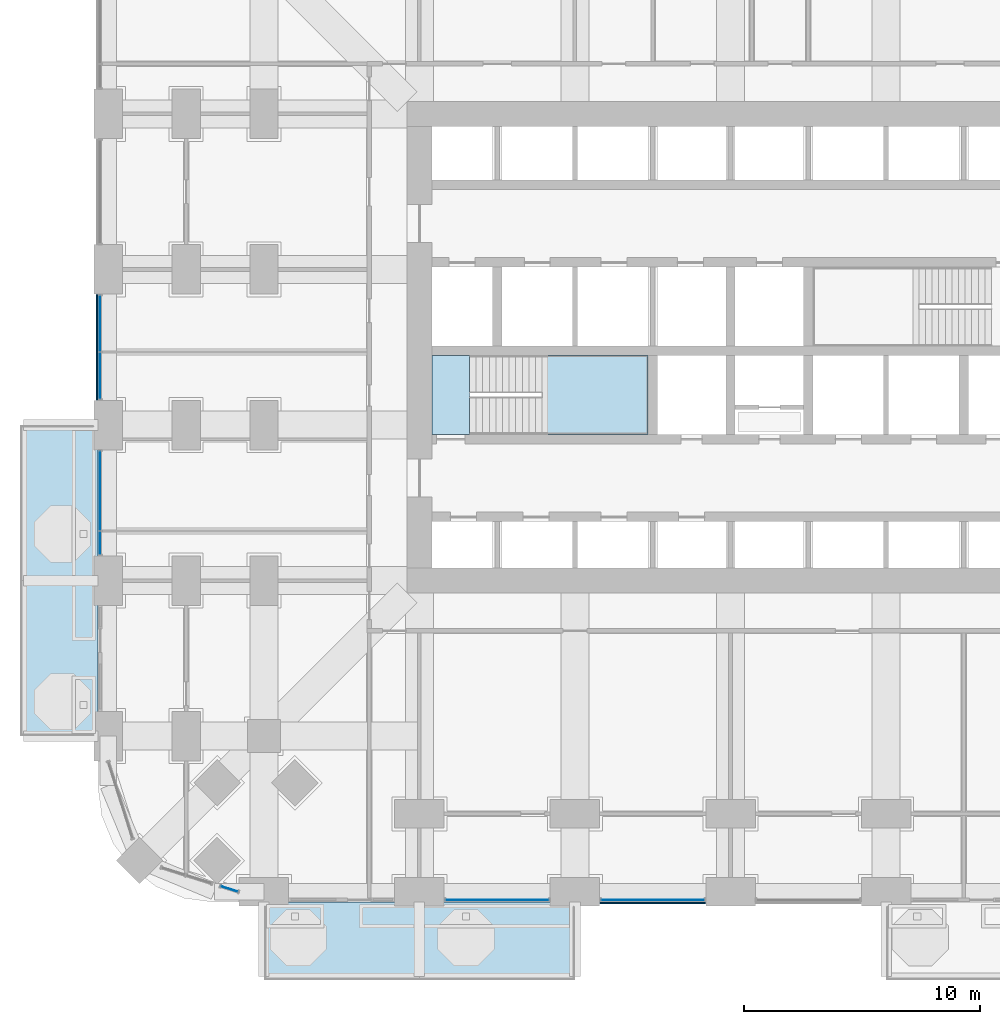
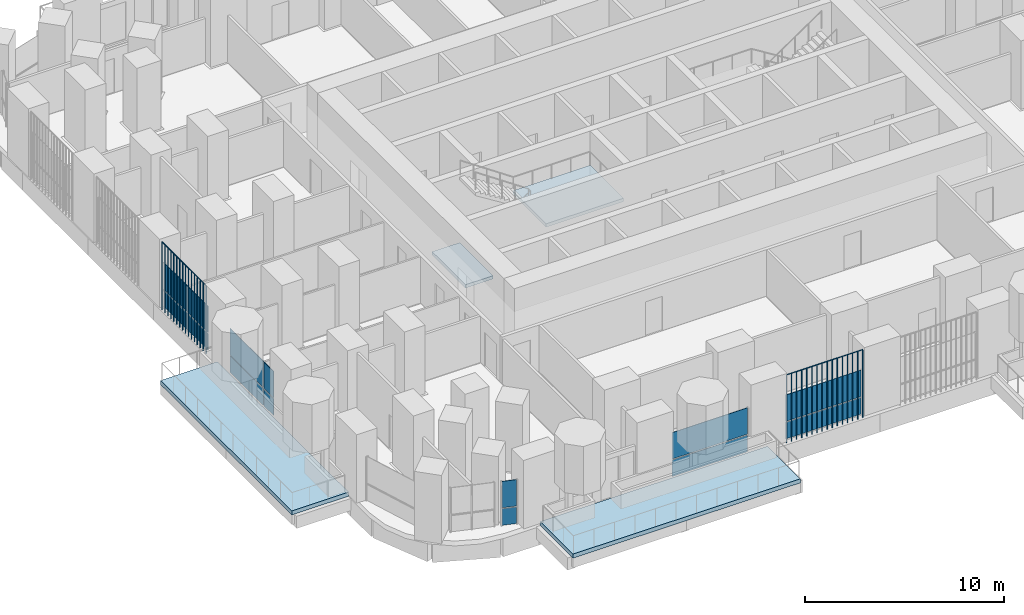
# One storey, part 12 of 27: 16 plates, 4 slabs, 6 elements without a shape of their own.
"""IFC4 building model written with IfcOpenShell, lengths in metres."""

from ifc_helpers import new_model, si_unit, direction, frame, origin, origin_2d, place, context, subcontext, project, spatial, polyline, rectangle, outline, extrude, material, layer, layer_set, type_object, element, aggregate, save


model = new_model("IFC4")

# Units and contexts
model_context = context("Model", 3, precision=1e-05, world=origin(), true_north=direction((0.0, 1.0)))
body_context = subcontext(model_context, "Body", "Model", "MODEL_VIEW")
ifc_project = project(units=[si_unit("LENGTHUNIT", "METRE"), si_unit("AREAUNIT", "SQUARE_METRE"), si_unit("VOLUMEUNIT", "CUBIC_METRE"), si_unit("PLANEANGLEUNIT", "RADIAN"), si_unit("MASSUNIT", "GRAM", prefix="KILO")], contexts=[model_context])

# Site, building, storey
site_placement = place(None, origin())
site = spatial("IfcSite", under=ifc_project, at=site_placement, CompositionType="ELEMENT")
building_placement = place(site_placement, origin())
building = spatial("IfcBuilding", under=site, at=building_placement, Name="Cobogo Forest Laboratory Tower", CompositionType="ELEMENT")
storey_placement = place(building_placement, frame((0.0, 0.0, 29.699951171875)))
storey = spatial("IfcBuildingStorey", under=building, at=storey_placement, Name="L06", CompositionType="ELEMENT", Elevation=29.699951171875)

# Slabs
ifc_material_1 = material(Name="Concrete HA-40 (C40/50)", Category="concrete")
ifc_layer_1 = layer(ifc_material_1, 0.25)
ifc_layer_set_1 = layer_set([ifc_layer_1], Name="Balcony slab 250")
slab_type_1 = type_object("IfcSlabType", Name="Balcony slab 250", PredefinedType="FLOOR", material=ifc_layer_set_1)
slab_1_placement = place(storey_placement, frame((0.0, 0.0, -0.25)))
element("IfcSlab", 1, at=slab_1_placement, inside=storey, type_object=slab_type_1, Name="Balcony BAL-S1 L06", PredefinedType="FLOOR", context=body_context, shape_type="SweptSolid", body=[
    extrude(outline(polyline([(6.60009765625, -3.75), (19.800048828125, -3.75), (19.800048828125, -0.449951171875), (6.60009765625, -0.449951171875), (6.60009765625, -3.75)])), origin(), (0.0, 0.0, 1.0), 0.25),
])
slab_2_placement = place(storey_placement, frame((0.0, 0.0, -0.25)))
element("IfcSlab", 2, at=slab_2_placement, inside=storey, type_object=slab_type_1, Name="Balcony BAL-W1 L06", PredefinedType="FLOOR", context=body_context, shape_type="SweptSolid", body=[
    extrude(outline(polyline([(-3.75, 6.60009765625), (-0.449951171875, 6.60009765625), (-0.449951171875, 19.800048828125), (-3.75, 19.800048828125), (-3.75, 6.60009765625)])), origin(), (0.0, 0.0, 1.0), 0.25),
])

# Curtain wall, plates
ifc_material_2 = material(Name="Aluminium curtain wall", Category="aluminium")
curtain_wall_type = type_object("IfcCurtainWallType", Name="CW-1 unitised curtain wall, clear glazing, laboratory floors zones A and B", PredefinedType="USERDEFINED", material=ifc_material_2)
curtain_wall_1_placement = place(storey_placement, origin())
curtain_wall_1 = element("IfcCurtainWall", 3, at=curtain_wall_1_placement, inside=storey, type_object=curtain_wall_type, Name="Curtain wall 02 L06", ObjectType="UNITISED CURTAIN WALL", PredefinedType="USERDEFINED")
ifc_material_3 = material(Name="Clear insulated glass", Category="glass")
ifc_layer_2 = layer(ifc_material_3, 0.028076171875)
ifc_layer_set_2 = layer_set([ifc_layer_2], Name="GP-1 clear insulated glass unit 28")
plate_type_1 = type_object("IfcPlateType", Name="GP-1 clear insulated glass unit 28", PredefinedType="CURTAIN_PANEL", material=ifc_layer_set_2)
plate_1_placement = place(storey_placement, frame((16.5, -0.35009765625, 0.0), z_axis=(0.0, 0.0, 1.0), x_axis=(1.0, 0.0, 0.0)))
plate_1 = element("IfcPlate", 4, at=plate_1_placement, type_object=plate_type_1, Name="CW-1 panel 1.1", PredefinedType="CURTAIN_PANEL", context=body_context, shape_type="SweptSolid", body=[
    extrude(rectangle(XDim=4.3798828125, YDim=0.028076171875, at=origin_2d()), origin(), (0.0, 0.0, 1.0), 1.02001953125),
])
plate_2_placement = place(storey_placement, frame((16.5, -0.35009765625, 1.080078125), z_axis=(0.0, 0.0, 1.0), x_axis=(1.0, 0.0, 0.0)))
plate_2 = element("IfcPlate", 5, at=plate_2_placement, type_object=plate_type_1, Name="CW-1 panel 1.2", PredefinedType="CURTAIN_PANEL", context=body_context, shape_type="SweptSolid", body=[
    extrude(rectangle(XDim=4.3798828125, YDim=0.028076171875, at=origin_2d()), origin(), (0.0, 0.0, 1.0), 1.6201171875),
])
aggregate(curtain_wall_1, [plate_1, plate_2])

curtain_wall_2_placement = place(storey_placement, origin())
curtain_wall_2 = element("IfcCurtainWall", 6, at=curtain_wall_2_placement, inside=storey, type_object=curtain_wall_type, Name="Curtain wall 03 L06", ObjectType="UNITISED CURTAIN WALL", PredefinedType="USERDEFINED")
plate_3_placement = place(storey_placement, frame((23.10009765625, -0.35009765625, 0.0), z_axis=(0.0, 0.0, 1.0), x_axis=(1.0, 0.0, 0.0)))
plate_3 = element("IfcPlate", 7, at=plate_3_placement, type_object=plate_type_1, Name="CW-1 panel 1.1", PredefinedType="CURTAIN_PANEL", context=body_context, shape_type="SweptSolid", body=[
    extrude(rectangle(XDim=4.3798828125, YDim=0.028076171875, at=origin_2d()), origin(), (0.0, 0.0, 1.0), 1.02001953125),
])
plate_4_placement = place(storey_placement, frame((23.10009765625, -0.35009765625, 1.080078125), z_axis=(0.0, 0.0, 1.0), x_axis=(1.0, 0.0, 0.0)))
plate_4 = element("IfcPlate", 8, at=plate_4_placement, type_object=plate_type_1, Name="CW-1 panel 1.2", PredefinedType="CURTAIN_PANEL", context=body_context, shape_type="SweptSolid", body=[
    extrude(rectangle(XDim=4.3798828125, YDim=0.028076171875, at=origin_2d()), origin(), (0.0, 0.0, 1.0), 1.6201171875),
])
aggregate(curtain_wall_2, [plate_3, plate_4])

curtain_wall_3_placement = place(storey_placement, origin())
curtain_wall_3 = element("IfcCurtainWall", 9, at=curtain_wall_3_placement, inside=storey, type_object=curtain_wall_type, Name="Curtain wall 29 L06", ObjectType="UNITISED CURTAIN WALL", PredefinedType="USERDEFINED")
plate_5_placement = place(storey_placement, frame((-0.35009765625, 24.110107421875, 0.0), z_axis=(0.0, 0.0, 1.0), x_axis=(0.0, -1.0, 0.0)))
plate_5 = element("IfcPlate", 10, at=plate_5_placement, type_object=plate_type_1, Name="CW-1 panel 1.1", PredefinedType="CURTAIN_PANEL", context=body_context, shape_type="SweptSolid", body=[
    extrude(rectangle(XDim=2.360107421875, YDim=0.028076171875, at=origin_2d()), origin(), (0.0, 0.0, 1.0), 1.02001953125),
])
plate_6_placement = place(storey_placement, frame((-0.35009765625, 24.110107421875, 1.080078125), z_axis=(0.0, 0.0, 1.0), x_axis=(0.0, -1.0, 0.0)))
plate_6 = element("IfcPlate", 11, at=plate_6_placement, type_object=plate_type_1, Name="CW-1 panel 1.2", PredefinedType="CURTAIN_PANEL", context=body_context, shape_type="SweptSolid", body=[
    extrude(rectangle(XDim=2.360107421875, YDim=0.028076171875, at=origin_2d()), origin(), (0.0, 0.0, 1.0), 1.6201171875),
])
plate_7_placement = place(storey_placement, frame((-0.35009765625, 21.889892578125, 0.0), z_axis=(0.0, 0.0, 1.0), x_axis=(0.0, -1.0, 0.0)))
plate_7 = element("IfcPlate", 12, at=plate_7_placement, type_object=plate_type_1, Name="CW-1 panel 2.1", PredefinedType="CURTAIN_PANEL", context=body_context, shape_type="SweptSolid", body=[
    extrude(rectangle(XDim=1.9599609375, YDim=0.028076171875, at=origin_2d()), origin(), (0.0, 0.0, 1.0), 1.02001953125),
])
plate_8_placement = place(storey_placement, frame((-0.35009765625, 21.889892578125, 1.080078125), z_axis=(0.0, 0.0, 1.0), x_axis=(0.0, -1.0, 0.0)))
plate_8 = element("IfcPlate", 13, at=plate_8_placement, type_object=plate_type_1, Name="CW-1 panel 2.2", PredefinedType="CURTAIN_PANEL", context=body_context, shape_type="SweptSolid", body=[
    extrude(rectangle(XDim=1.9599609375, YDim=0.028076171875, at=origin_2d()), origin(), (0.0, 0.0, 1.0), 1.6201171875),
])
aggregate(curtain_wall_3, [plate_5, plate_6, plate_7, plate_8])

curtain_wall_4_placement = place(storey_placement, origin())
curtain_wall_4 = element("IfcCurtainWall", 14, at=curtain_wall_4_placement, inside=storey, type_object=curtain_wall_type, Name="Curtain wall 30 L06", ObjectType="UNITISED CURTAIN WALL", PredefinedType="USERDEFINED")
plate_9_placement = place(storey_placement, frame((-0.35009765625, 17.010009765625, 0.0), z_axis=(0.0, 0.0, 1.0), x_axis=(0.0, -1.0, 0.0)))
plate_9 = element("IfcPlate", 15, at=plate_9_placement, type_object=plate_type_1, Name="CW-1 panel 1.1", PredefinedType="CURTAIN_PANEL", context=body_context, shape_type="SweptSolid", body=[
    extrude(rectangle(XDim=3.360107421875, YDim=0.028076171875, at=origin_2d()), origin(), (0.0, 0.0, 1.0), 1.02001953125),
])
plate_10_placement = place(storey_placement, frame((-0.35009765625, 17.010009765625, 1.080078125), z_axis=(0.0, 0.0, 1.0), x_axis=(0.0, -1.0, 0.0)))
plate_10 = element("IfcPlate", 16, at=plate_10_placement, type_object=plate_type_1, Name="CW-1 panel 1.2", PredefinedType="CURTAIN_PANEL", context=body_context, shape_type="SweptSolid", body=[
    extrude(rectangle(XDim=3.360107421875, YDim=0.028076171875, at=origin_2d()), origin(), (0.0, 0.0, 1.0), 1.6201171875),
])
plate_11_placement = place(storey_placement, frame((-0.35009765625, 14.7900390625, 0.0), z_axis=(0.0, 0.0, 1.0), x_axis=(0.0, -1.0, 0.0)))
plate_11 = element("IfcPlate", 17, at=plate_11_placement, type_object=plate_type_1, Name="CW-1 panel 2.1", PredefinedType="CURTAIN_PANEL", context=body_context, shape_type="SweptSolid", body=[
    extrude(rectangle(XDim=0.9599609375, YDim=0.028076171875, at=origin_2d()), origin(), (0.0, 0.0, 1.0), 1.02001953125),
])
plate_12_placement = place(storey_placement, frame((-0.35009765625, 14.7900390625, 1.080078125), z_axis=(0.0, 0.0, 1.0), x_axis=(0.0, -1.0, 0.0)))
plate_12 = element("IfcPlate", 18, at=plate_12_placement, type_object=plate_type_1, Name="CW-1 panel 2.2", PredefinedType="CURTAIN_PANEL", context=body_context, shape_type="SweptSolid", body=[
    extrude(rectangle(XDim=0.9599609375, YDim=0.028076171875, at=origin_2d()), origin(), (0.0, 0.0, 1.0), 1.6201171875),
])
aggregate(curtain_wall_4, [plate_9, plate_10, plate_11, plate_12])

curtain_wall_5_placement = place(storey_placement, origin())
curtain_wall_5 = element("IfcCurtainWall", 19, at=curtain_wall_5_placement, inside=storey, type_object=curtain_wall_type, Name="Curtain wall 34 L06", ObjectType="UNITISED CURTAIN WALL", PredefinedType="USERDEFINED")
plate_13_placement = place(storey_placement, frame((5.134033203125, 0.113037109375, 0.0), z_axis=(0.0, 0.0, 1.0), x_axis=(0.953581504428, -0.301135043481, 0.0)))
plate_13 = element("IfcPlate", 20, at=plate_13_placement, type_object=plate_type_1, Name="CW-1 panel 1.1", PredefinedType="CURTAIN_PANEL", context=body_context, shape_type="SweptSolid", body=[
    extrude(rectangle(XDim=0.75244140625, YDim=0.028076171875, at=origin_2d()), origin(), (0.0, 0.0, 1.0), 1.02001953125),
])
plate_14_placement = place(storey_placement, frame((5.134033203125, 0.113037109375, 1.080078125), z_axis=(0.0, 0.0, 1.0), x_axis=(0.953581504428, -0.301135043481, 0.0)))
plate_14 = element("IfcPlate", 21, at=plate_14_placement, type_object=plate_type_1, Name="CW-1 panel 1.2", PredefinedType="CURTAIN_PANEL", context=body_context, shape_type="SweptSolid", body=[
    extrude(rectangle(XDim=0.75244140625, YDim=0.028076171875, at=origin_2d()), origin(), (0.0, 0.0, 1.0), 1.6201171875),
])
aggregate(curtain_wall_5, [plate_13, plate_14])

# Stair, slabs
ifc_material_4 = material(Name="Precast concrete HA-40 (C40/50)", Category="concrete")
stair_type = type_object("IfcStairType", Name="ST24 exit stair 24 risers", PredefinedType="HALF_TURN_STAIR", material=ifc_material_4)
stair_placement = place(storey_placement, origin())
stair = element("IfcStair", 22, at=stair_placement, inside=storey, type_object=stair_type, Name="Stair 1 L06 to L07", PredefinedType="HALF_TURN_STAIR")
ifc_layer_3 = layer(ifc_material_1, 0.199951171875)
ifc_layer_set_3 = layer_set([ifc_layer_3], Name="SL stair landing 200")
slab_type_2 = type_object("IfcSlabType", Name="SL stair landing 200", PredefinedType="LANDING", material=ifc_layer_set_3)
slab_3_placement = place(storey_placement, frame((0.0, 0.0, -0.199951171875)))
slab_3 = element("IfcSlab", 23, at=slab_3_placement, type_object=slab_type_2, Name="ST1 landing 1", PredefinedType="LANDING", context=body_context, shape_type="SweptSolid", body=[
    extrude(outline(polyline([(13.72509765625, 19.39990234375), (15.326904296875, 19.39990234375), (15.326904296875, 22.75), (13.72509765625, 22.75), (13.72509765625, 19.39990234375)])), origin(), (0.0, 0.0, 1.0), 0.199951171875),
])
slab_4_placement = place(storey_placement, frame((0.0, 0.0, 1.900146484375)))
slab_4 = element("IfcSlab", 24, at=slab_4_placement, type_object=slab_type_2, Name="ST1 landing 2", PredefinedType="LANDING", context=body_context, shape_type="SweptSolid", body=[
    extrude(outline(polyline([(18.403076171875, 19.39990234375), (22.89990234375, 19.39990234375), (22.89990234375, 22.75), (18.403076171875, 22.75), (18.403076171875, 19.39990234375)])), origin(), (0.0, 0.0, 1.0), 0.199951171875),
])
aggregate(stair, [slab_3, slab_4])

# Plates
ifc_material_5 = material(Name="Terracotta", Category="masonry")
plate_type_2 = type_object("IfcPlateType", Name="TB1 terracotta baguette screen", PredefinedType="USERDEFINED", material=ifc_material_5)
plate_15_placement = place(storey_placement, frame((20.88134765625, -0.477783203125, -0.14990234375)))
element("IfcPlate", 25, at=plate_15_placement, inside=storey, type_object=plate_type_2, Name="Baguette screen S3 L06", ObjectType="BAGUETTE SCREEN", PredefinedType="USERDEFINED", context=body_context, shape_type="SweptSolid", body=[
    extrude(outline(polyline([(0.02880859375, 0.011962890625), (0.011962890625, 0.02880859375), (-0.011962890625, 0.02880859375), (-0.02880859375, 0.011962890625), (-0.02880859375, -0.011962890625), (-0.011962890625, -0.02880859375), (0.011962890625, -0.02880859375), (0.02880859375, -0.011962890625), (0.02880859375, 0.011962890625)])), frame((0.0, 0.0, 4.168701171875), z_axis=(1.0, 0.0, 0.0), x_axis=(0.0, 1.0, 0.0)), (0.0, 0.0, 1.0), 4.4375),
    extrude(outline(polyline([(0.02880859375, 0.011962890625), (0.011962890625, 0.02880859375), (-0.011962890625, 0.02880859375), (-0.02880859375, 0.011962890625), (-0.02880859375, -0.011962890625), (-0.011962890625, -0.02880859375), (0.011962890625, -0.02880859375), (0.02880859375, -0.011962890625), (0.02880859375, 0.011962890625)])), origin(), (0.0, 0.0, 1.0), 4.137451171875),
    extrude(outline(polyline([(0.02880859375, 0.011962890625), (0.011962890625, 0.02880859375), (-0.011962890625, 0.02880859375), (-0.02880859375, 0.011962890625), (-0.02880859375, -0.011962890625), (-0.011962890625, -0.02880859375), (0.011962890625, -0.02880859375), (0.02880859375, -0.011962890625), (0.02880859375, 0.011962890625)])), frame((0.2958984375, 0.0, 0.0)), (0.0, 0.0, 1.0), 4.137451171875),
    extrude(outline(polyline([(0.02880859375, 0.011962890625), (0.011962890625, 0.02880859375), (-0.011962890625, 0.02880859375), (-0.02880859375, 0.011962890625), (-0.02880859375, -0.011962890625), (-0.011962890625, -0.02880859375), (0.011962890625, -0.02880859375), (0.02880859375, -0.011962890625), (0.02880859375, 0.011962890625)])), frame((0.591552734375, 0.0, 0.0)), (0.0, 0.0, 1.0), 4.137451171875),
    extrude(outline(polyline([(0.02880859375, 0.011962890625), (0.011962890625, 0.02880859375), (-0.011962890625, 0.02880859375), (-0.02880859375, 0.011962890625), (-0.02880859375, -0.011962890625), (-0.011962890625, -0.02880859375), (0.011962890625, -0.02880859375), (0.02880859375, -0.011962890625), (0.02880859375, 0.011962890625)])), frame((0.887451171875, 0.0, 0.0)), (0.0, 0.0, 1.0), 4.137451171875),
    extrude(outline(polyline([(0.02880859375, 0.011962890625), (0.011962890625, 0.02880859375), (-0.011962890625, 0.02880859375), (-0.02880859375, 0.011962890625), (-0.02880859375, -0.011962890625), (-0.011962890625, -0.02880859375), (0.011962890625, -0.02880859375), (0.02880859375, -0.011962890625), (0.02880859375, 0.011962890625)])), frame((1.183349609375, 0.0, 0.0)), (0.0, 0.0, 1.0), 4.137451171875),
    extrude(outline(polyline([(0.02880859375, 0.011962890625), (0.011962890625, 0.02880859375), (-0.011962890625, 0.02880859375), (-0.02880859375, 0.011962890625), (-0.02880859375, -0.011962890625), (-0.011962890625, -0.02880859375), (0.011962890625, -0.02880859375), (0.02880859375, -0.011962890625), (0.02880859375, 0.011962890625)])), frame((1.479248046875, 0.0, 0.0)), (0.0, 0.0, 1.0), 4.137451171875),
    extrude(outline(polyline([(0.02880859375, 0.011962890625), (0.011962890625, 0.02880859375), (-0.011962890625, 0.02880859375), (-0.02880859375, 0.011962890625), (-0.02880859375, -0.011962890625), (-0.011962890625, -0.02880859375), (0.011962890625, -0.02880859375), (0.02880859375, -0.011962890625), (0.02880859375, 0.011962890625)])), frame((1.77490234375, 0.0, 0.0)), (0.0, 0.0, 1.0), 4.137451171875),
    extrude(outline(polyline([(0.02880859375, 0.011962890625), (0.011962890625, 0.02880859375), (-0.011962890625, 0.02880859375), (-0.02880859375, 0.011962890625), (-0.02880859375, -0.011962890625), (-0.011962890625, -0.02880859375), (0.011962890625, -0.02880859375), (0.02880859375, -0.011962890625), (0.02880859375, 0.011962890625)])), frame((2.07080078125, 0.0, 0.0)), (0.0, 0.0, 1.0), 4.137451171875),
    extrude(outline(polyline([(0.02880859375, 0.011962890625), (0.011962890625, 0.02880859375), (-0.011962890625, 0.02880859375), (-0.02880859375, 0.011962890625), (-0.02880859375, -0.011962890625), (-0.011962890625, -0.02880859375), (0.011962890625, -0.02880859375), (0.02880859375, -0.011962890625), (0.02880859375, 0.011962890625)])), frame((2.36669921875, 0.0, 0.0)), (0.0, 0.0, 1.0), 4.137451171875),
    extrude(outline(polyline([(0.02880859375, 0.011962890625), (0.011962890625, 0.02880859375), (-0.011962890625, 0.02880859375), (-0.02880859375, 0.011962890625), (-0.02880859375, -0.011962890625), (-0.011962890625, -0.02880859375), (0.011962890625, -0.02880859375), (0.02880859375, -0.011962890625), (0.02880859375, 0.011962890625)])), frame((2.66259765625, 0.0, 0.0)), (0.0, 0.0, 1.0), 4.137451171875),
    extrude(outline(polyline([(0.02880859375, 0.011962890625), (0.011962890625, 0.02880859375), (-0.011962890625, 0.02880859375), (-0.02880859375, 0.011962890625), (-0.02880859375, -0.011962890625), (-0.011962890625, -0.02880859375), (0.011962890625, -0.02880859375), (0.02880859375, -0.011962890625), (0.02880859375, 0.011962890625)])), frame((2.958251953125, 0.0, 0.0)), (0.0, 0.0, 1.0), 4.137451171875),
    extrude(outline(polyline([(0.02880859375, 0.011962890625), (0.011962890625, 0.02880859375), (-0.011962890625, 0.02880859375), (-0.02880859375, 0.011962890625), (-0.02880859375, -0.011962890625), (-0.011962890625, -0.02880859375), (0.011962890625, -0.02880859375), (0.02880859375, -0.011962890625), (0.02880859375, 0.011962890625)])), frame((3.254150390625, 0.0, 0.0)), (0.0, 0.0, 1.0), 4.137451171875),
    extrude(outline(polyline([(0.02880859375, 0.011962890625), (0.011962890625, 0.02880859375), (-0.011962890625, 0.02880859375), (-0.02880859375, 0.011962890625), (-0.02880859375, -0.011962890625), (-0.011962890625, -0.02880859375), (0.011962890625, -0.02880859375), (0.02880859375, -0.011962890625), (0.02880859375, 0.011962890625)])), frame((3.550048828125, 0.0, 0.0)), (0.0, 0.0, 1.0), 4.137451171875),
    extrude(outline(polyline([(0.02880859375, 0.011962890625), (0.011962890625, 0.02880859375), (-0.011962890625, 0.02880859375), (-0.02880859375, 0.011962890625), (-0.02880859375, -0.011962890625), (-0.011962890625, -0.02880859375), (0.011962890625, -0.02880859375), (0.02880859375, -0.011962890625), (0.02880859375, 0.011962890625)])), frame((3.845947265625, 0.0, 0.0)), (0.0, 0.0, 1.0), 4.137451171875),
    extrude(outline(polyline([(0.02880859375, 0.011962890625), (0.011962890625, 0.02880859375), (-0.011962890625, 0.02880859375), (-0.02880859375, 0.011962890625), (-0.02880859375, -0.011962890625), (-0.011962890625, -0.02880859375), (0.011962890625, -0.02880859375), (0.02880859375, -0.011962890625), (0.02880859375, 0.011962890625)])), frame((4.1416015625, 0.0, 0.0)), (0.0, 0.0, 1.0), 4.137451171875),
    extrude(outline(polyline([(0.02880859375, 0.011962890625), (0.011962890625, 0.02880859375), (-0.011962890625, 0.02880859375), (-0.02880859375, 0.011962890625), (-0.02880859375, -0.011962890625), (-0.011962890625, -0.02880859375), (0.011962890625, -0.02880859375), (0.02880859375, -0.011962890625), (0.02880859375, 0.011962890625)])), frame((4.4375, 0.0, 0.0)), (0.0, 0.0, 1.0), 4.137451171875),
])
plate_16_placement = place(storey_placement, frame((-0.477783203125, 20.88134765625, -0.14990234375)))
element("IfcPlate", 26, at=plate_16_placement, inside=storey, type_object=plate_type_2, Name="Baguette screen W3 L06", ObjectType="BAGUETTE SCREEN", PredefinedType="USERDEFINED", context=body_context, shape_type="SweptSolid", body=[
    extrude(outline(polyline([(0.02880859375, 0.011962890625), (0.011962890625, 0.02880859375), (-0.011962890625, 0.02880859375), (-0.02880859375, 0.011962890625), (-0.02880859375, -0.011962890625), (-0.011962890625, -0.02880859375), (0.011962890625, -0.02880859375), (0.02880859375, -0.011962890625), (0.02880859375, 0.011962890625)])), frame((0.0, 0.0, 4.168701171875), z_axis=(0.0, 1.0, 0.0), x_axis=(-1.0, 0.0, 0.0)), (0.0, 0.0, 1.0), 4.4375),
    extrude(outline(polyline([(0.02880859375, 0.011962890625), (0.011962890625, 0.02880859375), (-0.011962890625, 0.02880859375), (-0.02880859375, 0.011962890625), (-0.02880859375, -0.011962890625), (-0.011962890625, -0.02880859375), (0.011962890625, -0.02880859375), (0.02880859375, -0.011962890625), (0.02880859375, 0.011962890625)])), origin(), (0.0, 0.0, 1.0), 4.137451171875),
    extrude(outline(polyline([(0.02880859375, 0.011962890625), (0.011962890625, 0.02880859375), (-0.011962890625, 0.02880859375), (-0.02880859375, 0.011962890625), (-0.02880859375, -0.011962890625), (-0.011962890625, -0.02880859375), (0.011962890625, -0.02880859375), (0.02880859375, -0.011962890625), (0.02880859375, 0.011962890625)])), frame((0.0, 0.2958984375, 0.0)), (0.0, 0.0, 1.0), 4.137451171875),
    extrude(outline(polyline([(0.02880859375, 0.011962890625), (0.011962890625, 0.02880859375), (-0.011962890625, 0.02880859375), (-0.02880859375, 0.011962890625), (-0.02880859375, -0.011962890625), (-0.011962890625, -0.02880859375), (0.011962890625, -0.02880859375), (0.02880859375, -0.011962890625), (0.02880859375, 0.011962890625)])), frame((0.0, 0.591552734375, 0.0)), (0.0, 0.0, 1.0), 4.137451171875),
    extrude(outline(polyline([(0.02880859375, 0.011962890625), (0.011962890625, 0.02880859375), (-0.011962890625, 0.02880859375), (-0.02880859375, 0.011962890625), (-0.02880859375, -0.011962890625), (-0.011962890625, -0.02880859375), (0.011962890625, -0.02880859375), (0.02880859375, -0.011962890625), (0.02880859375, 0.011962890625)])), frame((0.0, 0.887451171875, 0.0)), (0.0, 0.0, 1.0), 4.137451171875),
    extrude(outline(polyline([(0.02880859375, 0.011962890625), (0.011962890625, 0.02880859375), (-0.011962890625, 0.02880859375), (-0.02880859375, 0.011962890625), (-0.02880859375, -0.011962890625), (-0.011962890625, -0.02880859375), (0.011962890625, -0.02880859375), (0.02880859375, -0.011962890625), (0.02880859375, 0.011962890625)])), frame((0.0, 1.183349609375, 0.0)), (0.0, 0.0, 1.0), 4.137451171875),
    extrude(outline(polyline([(0.02880859375, 0.011962890625), (0.011962890625, 0.02880859375), (-0.011962890625, 0.02880859375), (-0.02880859375, 0.011962890625), (-0.02880859375, -0.011962890625), (-0.011962890625, -0.02880859375), (0.011962890625, -0.02880859375), (0.02880859375, -0.011962890625), (0.02880859375, 0.011962890625)])), frame((0.0, 1.479248046875, 0.0)), (0.0, 0.0, 1.0), 4.137451171875),
    extrude(outline(polyline([(0.02880859375, 0.011962890625), (0.011962890625, 0.02880859375), (-0.011962890625, 0.02880859375), (-0.02880859375, 0.011962890625), (-0.02880859375, -0.011962890625), (-0.011962890625, -0.02880859375), (0.011962890625, -0.02880859375), (0.02880859375, -0.011962890625), (0.02880859375, 0.011962890625)])), frame((0.0, 1.77490234375, 0.0)), (0.0, 0.0, 1.0), 4.137451171875),
    extrude(outline(polyline([(0.02880859375, 0.011962890625), (0.011962890625, 0.02880859375), (-0.011962890625, 0.02880859375), (-0.02880859375, 0.011962890625), (-0.02880859375, -0.011962890625), (-0.011962890625, -0.02880859375), (0.011962890625, -0.02880859375), (0.02880859375, -0.011962890625), (0.02880859375, 0.011962890625)])), frame((0.0, 2.07080078125, 0.0)), (0.0, 0.0, 1.0), 4.137451171875),
    extrude(outline(polyline([(0.02880859375, 0.011962890625), (0.011962890625, 0.02880859375), (-0.011962890625, 0.02880859375), (-0.02880859375, 0.011962890625), (-0.02880859375, -0.011962890625), (-0.011962890625, -0.02880859375), (0.011962890625, -0.02880859375), (0.02880859375, -0.011962890625), (0.02880859375, 0.011962890625)])), frame((0.0, 2.36669921875, 0.0)), (0.0, 0.0, 1.0), 4.137451171875),
    extrude(outline(polyline([(0.02880859375, 0.011962890625), (0.011962890625, 0.02880859375), (-0.011962890625, 0.02880859375), (-0.02880859375, 0.011962890625), (-0.02880859375, -0.011962890625), (-0.011962890625, -0.02880859375), (0.011962890625, -0.02880859375), (0.02880859375, -0.011962890625), (0.02880859375, 0.011962890625)])), frame((0.0, 2.66259765625, 0.0)), (0.0, 0.0, 1.0), 4.137451171875),
    extrude(outline(polyline([(0.02880859375, 0.011962890625), (0.011962890625, 0.02880859375), (-0.011962890625, 0.02880859375), (-0.02880859375, 0.011962890625), (-0.02880859375, -0.011962890625), (-0.011962890625, -0.02880859375), (0.011962890625, -0.02880859375), (0.02880859375, -0.011962890625), (0.02880859375, 0.011962890625)])), frame((0.0, 2.958251953125, 0.0)), (0.0, 0.0, 1.0), 4.137451171875),
    extrude(outline(polyline([(0.02880859375, 0.011962890625), (0.011962890625, 0.02880859375), (-0.011962890625, 0.02880859375), (-0.02880859375, 0.011962890625), (-0.02880859375, -0.011962890625), (-0.011962890625, -0.02880859375), (0.011962890625, -0.02880859375), (0.02880859375, -0.011962890625), (0.02880859375, 0.011962890625)])), frame((0.0, 3.254150390625, 0.0)), (0.0, 0.0, 1.0), 4.137451171875),
    extrude(outline(polyline([(0.02880859375, 0.011962890625), (0.011962890625, 0.02880859375), (-0.011962890625, 0.02880859375), (-0.02880859375, 0.011962890625), (-0.02880859375, -0.011962890625), (-0.011962890625, -0.02880859375), (0.011962890625, -0.02880859375), (0.02880859375, -0.011962890625), (0.02880859375, 0.011962890625)])), frame((0.0, 3.550048828125, 0.0)), (0.0, 0.0, 1.0), 4.137451171875),
    extrude(outline(polyline([(0.02880859375, 0.011962890625), (0.011962890625, 0.02880859375), (-0.011962890625, 0.02880859375), (-0.02880859375, 0.011962890625), (-0.02880859375, -0.011962890625), (-0.011962890625, -0.02880859375), (0.011962890625, -0.02880859375), (0.02880859375, -0.011962890625), (0.02880859375, 0.011962890625)])), frame((0.0, 3.845947265625, 0.0)), (0.0, 0.0, 1.0), 4.137451171875),
    extrude(outline(polyline([(0.02880859375, 0.011962890625), (0.011962890625, 0.02880859375), (-0.011962890625, 0.02880859375), (-0.02880859375, 0.011962890625), (-0.02880859375, -0.011962890625), (-0.011962890625, -0.02880859375), (0.011962890625, -0.02880859375), (0.02880859375, -0.011962890625), (0.02880859375, 0.011962890625)])), frame((0.0, 4.1416015625, 0.0)), (0.0, 0.0, 1.0), 4.137451171875),
    extrude(outline(polyline([(0.02880859375, 0.011962890625), (0.011962890625, 0.02880859375), (-0.011962890625, 0.02880859375), (-0.02880859375, 0.011962890625), (-0.02880859375, -0.011962890625), (-0.011962890625, -0.02880859375), (0.011962890625, -0.02880859375), (0.02880859375, -0.011962890625), (0.02880859375, 0.011962890625)])), frame((0.0, 4.4375, 0.0)), (0.0, 0.0, 1.0), 4.137451171875),
])

save(model, "model.ifc")
